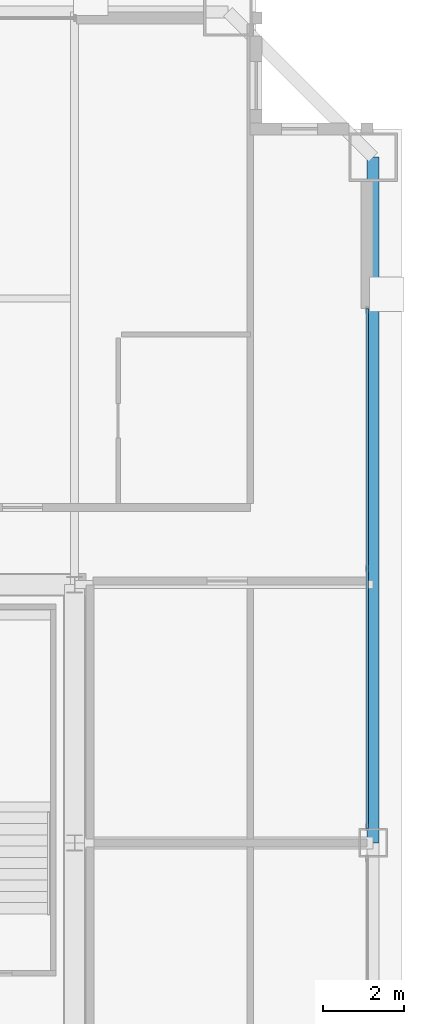
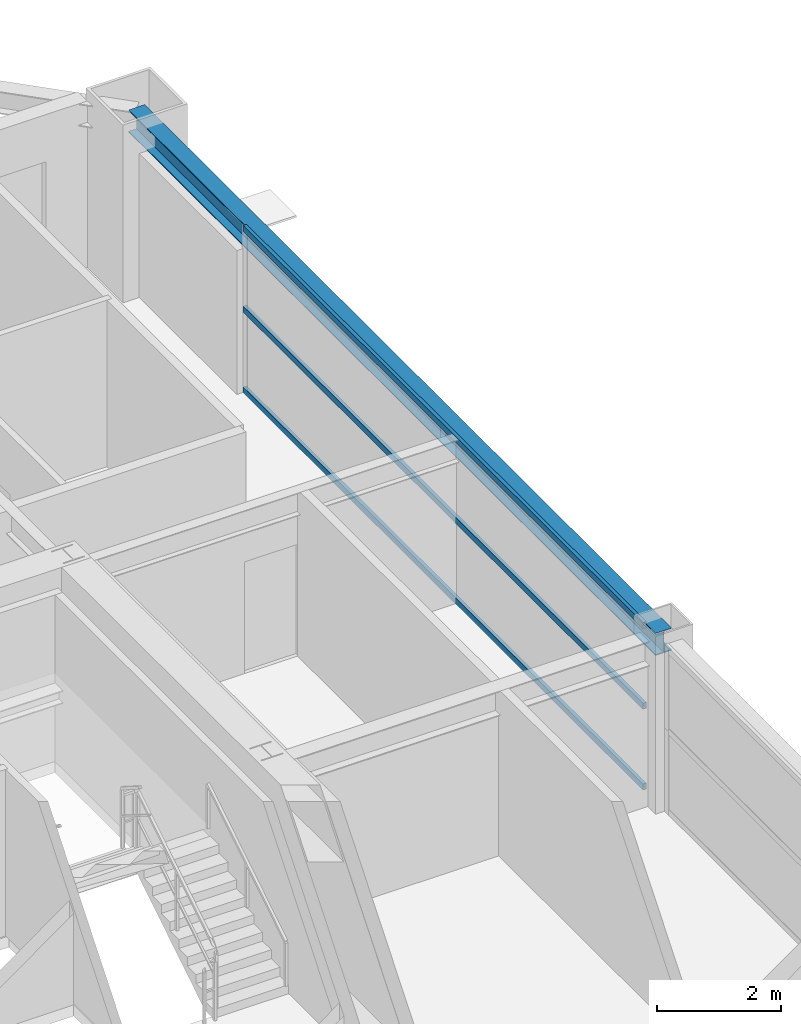
# One storey, part 21 of 36: 3 members, 1 beam, 1 element without a shape of its own.
"""IFC4 building model written with IfcOpenShell, lengths in metres."""

from ifc_helpers import new_model, si_unit, direction, frame, origin, origin_2d, place, context, subcontext, project, spatial, hollow_rectangle, i_section, extrude, source, transform, mapped, material, layer, layer_set, material_profile, profile_set, type_object, element, aggregate, save


model = new_model("IFC4")

# Units and contexts
model_context = context("Model", 3, precision=1e-05, world=origin(), true_north=direction((0.0, 1.0)))
body_context = subcontext(model_context, "Body", "Model", "MODEL_VIEW")
ifc_project = project(units=[si_unit("LENGTHUNIT", "METRE"), si_unit("AREAUNIT", "SQUARE_METRE"), si_unit("VOLUMEUNIT", "CUBIC_METRE"), si_unit("PLANEANGLEUNIT", "RADIAN"), si_unit("MASSUNIT", "GRAM", prefix="KILO"), si_unit("THERMODYNAMICTEMPERATUREUNIT", "KELVIN"), si_unit("POWERUNIT", "WATT")], contexts=[model_context])

# Site, building, storey
site_placement = place(None, origin())
site = spatial("IfcSite", under=ifc_project, at=site_placement, CompositionType="ELEMENT")
building_placement = place(site_placement, origin())
building = spatial("IfcBuilding", under=site, at=building_placement, Name="Yuzanri Waterfront Tower", CompositionType="ELEMENT")
storey_placement = place(building_placement, frame((0.0, 0.0, 238.10009765625)))
storey = spatial("IfcBuildingStorey", under=building, at=storey_placement, Name="L63", CompositionType="ELEMENT", Elevation=238.10009765625)

# Beam
ifc_material_1 = material(Name="Steel Q355B", Category="steel")
ifc_material_profile_1 = material_profile(ifc_material_1, i_section(OverallWidth=0.300048828125, OverallDepth=0.43994140625, WebThickness=0.010986328125, FlangeThickness=0.01806640625, at=origin_2d()), Name="HM 440x300x11x18")
ifc_profile_set_1 = profile_set([ifc_material_profile_1], Name="Steel Q355B")
beam_type = type_object("IfcBeamType", Name="Perimeter Spandrel Q355B HM 440x300", PredefinedType="SPANDREL", material=ifc_profile_set_1)
shared_shape_1 = source(origin(), body_context, "Body", "SweptSolid", [
    extrude(i_section(OverallWidth=0.300048828125, OverallDepth=0.43994140625, WebThickness=0.010986328125, FlangeThickness=0.01806640625, at=origin_2d()), origin(), (0.0, 0.0, 1.0), 17.0),
])
beam_placement = place(storey_placement, frame((57.60009765625, 25.800048828125, 3.059814453125), z_axis=(0.0, 1.0, 0.0), x_axis=(-1.0, 0.0, 0.0)))
element("IfcBeam", 1, at=beam_placement, inside=storey, type_object=beam_type, Name="L63 Perimeter Spandrel E2-E3", PredefinedType="SPANDREL", context=body_context, shape_type="MappedRepresentation", body=[
    mapped(shared_shape_1, transform((0.0, 0.0, 0.0), scale=1.0)),
])

# Curtain wall, members
ifc_material_2 = material(Name="Anodized Architectural Bronze", Category="metal")
ifc_layer = layer(ifc_material_2, 0.159912109375)
ifc_layer_set = layer_set([ifc_layer], Name="Anodized Architectural Bronze")
curtain_wall_type = type_object("IfcCurtainWallType", Name="Anodized Bronze Mid-Rise Residential Acoustic Unitized Curtain Wall 7200", PredefinedType="NOTDEFINED", material=ifc_layer_set)
curtain_wall_placement = place(storey_placement, origin())
curtain_wall = element("IfcCurtainWall", 2, at=curtain_wall_placement, inside=storey, type_object=curtain_wall_type, Name="L63 Curtain Wall CW-L63-ER", PredefinedType="NOTDEFINED")
ifc_material_3 = material(Name="Anodized Architectural Bronze", Category="metal")
ifc_material_profile_2 = material_profile(ifc_material_3, hollow_rectangle(XDim=0.06494140625, YDim=0.1201171875, WallThickness=0.00341796875, at=origin_2d()), Name="CWT 65x120")
ifc_profile_set_2 = profile_set([ifc_material_profile_2], Name="Anodized Architectural Bronze")
member_type = type_object("IfcMemberType", Name="Anodized Bronze Secondary Curtain-Wall Transom 65x120", PredefinedType="USERDEFINED", material=ifc_profile_set_2)
shared_shape_2 = source(origin(), body_context, "Body", "SweptSolid", [
    extrude(hollow_rectangle(XDim=0.06494140625, YDim=0.1201171875, WallThickness=0.00341796875, at=origin_2d()), origin(), (0.0, 0.0, 1.0), 12.900146484375),
])
member_1_placement = place(storey_placement, frame((57.449951171875, 26.14990234375, 0.0498046875), z_axis=(0.0, 1.0, 0.0), x_axis=(-1.0, 0.0, 0.0)))
member_1 = element("IfcMember", 3, at=member_1_placement, type_object=member_type, Name="CW-L63-ER Transom 1", ObjectType="TRANSOM", PredefinedType="USERDEFINED", context=body_context, shape_type="MappedRepresentation", body=[
    mapped(shared_shape_2, transform((0.0, 0.0, 0.0), scale=1.0)),
])
member_2_placement = place(storey_placement, frame((57.449951171875, 26.14990234375, 1.639892578125), z_axis=(0.0, 1.0, 0.0), x_axis=(-1.0, 0.0, 0.0)))
member_2 = element("IfcMember", 4, at=member_2_placement, type_object=member_type, Name="CW-L63-ER Transom 2", ObjectType="TRANSOM", PredefinedType="USERDEFINED", context=body_context, shape_type="MappedRepresentation", body=[
    mapped(shared_shape_2, transform((0.0, 0.0, 0.0), scale=1.0)),
])
member_3_placement = place(storey_placement, frame((57.449951171875, 26.14990234375, 3.22998046875), z_axis=(0.0, 1.0, 0.0), x_axis=(-1.0, 0.0, 0.0)))
member_3 = element("IfcMember", 5, at=member_3_placement, type_object=member_type, Name="CW-L63-ER Transom 3", ObjectType="TRANSOM", PredefinedType="USERDEFINED", context=body_context, shape_type="MappedRepresentation", body=[
    mapped(shared_shape_2, transform((0.0, 0.0, 0.0), scale=1.0)),
])
aggregate(curtain_wall, [member_1, member_2, member_3])

save(model, "model.ifc")
